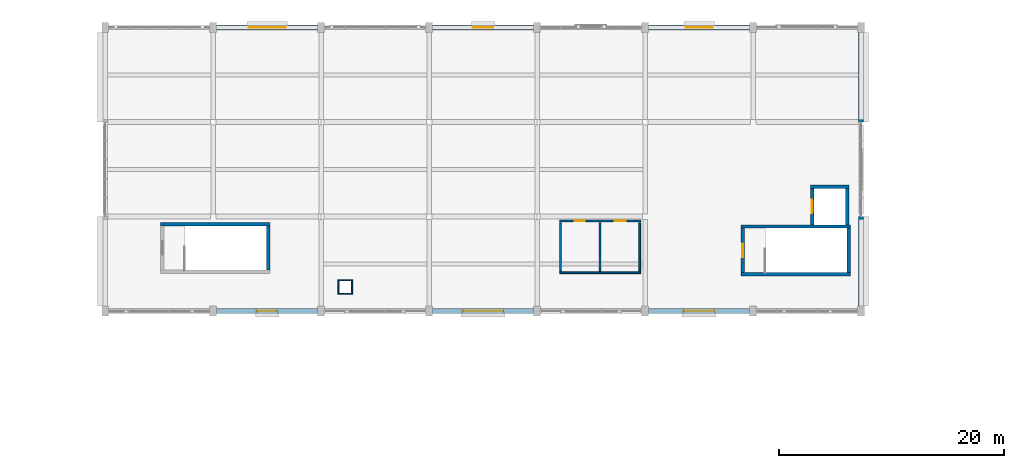
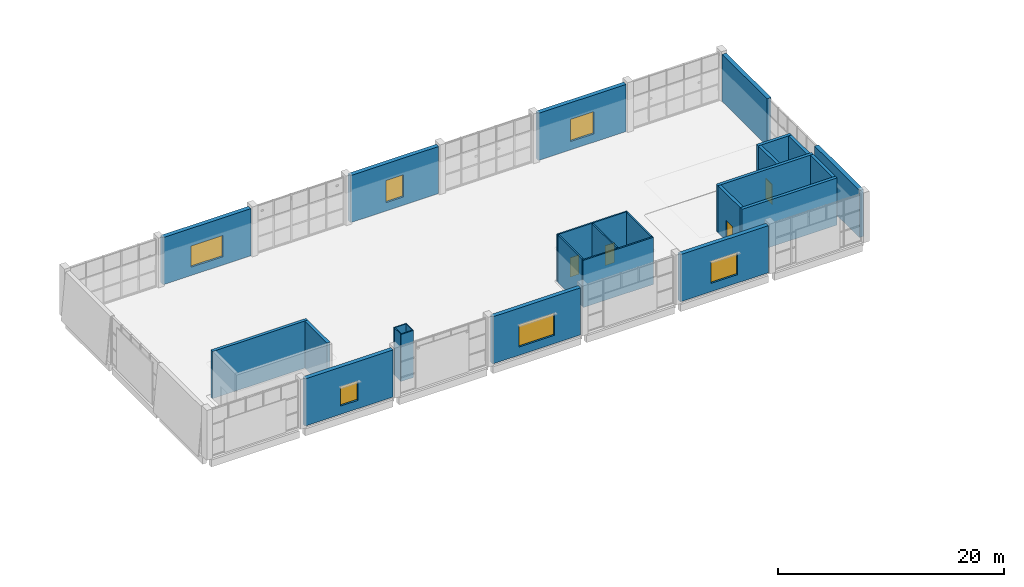
# One storey, part 42 of 57: 26 walls, 6 windows, 4 doors, 10 openings.
"""IFC4 building model written with IfcOpenShell, lengths in metres."""

from ifc_helpers import new_model, si_unit, direction, frame, frame_2d, origin, place, context, subcontext, project, spatial, rectangle, extrude, material, layer, layer_set, type_object, element, fill, save


model = new_model("IFC4")

# Units and contexts
model_context = context("Model", 3, precision=1e-05, world=origin(), true_north=direction((0.0, 1.0)))
body_context = subcontext(model_context, "Body", "Model", "MODEL_VIEW")
ifc_project = project(units=[si_unit("LENGTHUNIT", "METRE"), si_unit("AREAUNIT", "SQUARE_METRE"), si_unit("VOLUMEUNIT", "CUBIC_METRE"), si_unit("PLANEANGLEUNIT", "RADIAN"), si_unit("MASSUNIT", "GRAM", prefix="KILO")], contexts=[model_context])

# Site, building, storey
site_placement = place(None, origin())
site = spatial("IfcSite", under=ifc_project, at=site_placement, CompositionType="ELEMENT")
building_placement = place(site_placement, origin())
building = spatial("IfcBuilding", under=site, at=building_placement, Name="Shalvenor Court Art Gallery", CompositionType="ELEMENT")
storey_placement = place(building_placement, frame((0.0, 0.0, 16.800048828125)))
storey = spatial("IfcBuildingStorey", under=building, at=storey_placement, Name="L03", CompositionType="ELEMENT", Elevation=16.800048828125)

# Walls
ifc_material_1 = material(Name="Concrete C40/50", Category="concrete")
ifc_layer_1 = layer(ifc_material_1, 0.31005859375, Name="Concrete C40/50")
ifc_layer_set_1 = layer_set([ifc_layer_1], Name="Concrete C40/50")
wall_type_1 = type_object("IfcWallType", Name="CW-W2", PredefinedType="SHEAR", material=ifc_layer_set_1)
wall_1_placement = place(storey_placement, frame((114.1279296875, 104.717041015625, 0.0), z_axis=(0.0, 0.0, 1.0), x_axis=(1.0, 0.0, 0.0)))
element("IfcWall", 1, at=wall_1_placement, inside=storey, type_object=wall_type_1, Name="L03 C5 Stair Core Shear Wall N", PredefinedType="SHEAR", context=body_context, shape_type="SweptSolid", body=[
    extrude(rectangle(XDim=9.744140625, YDim=0.31005859375, at=frame_2d((4.8720703125, 0.0))), origin(), (0.0, 0.0, 1.0), 5.099853515625),
])
wall_2_placement = place(storey_placement, frame((123.717041015625, 104.56201171875, 0.0), z_axis=(0.0, 0.0, 1.0), x_axis=(0.0, -1.0, 0.0)))
element("IfcWall", 2, at=wall_2_placement, inside=storey, type_object=wall_type_1, Name="L03 C5 Stair Core Shear Wall E", PredefinedType="SHEAR", context=body_context, shape_type="SweptSolid", body=[
    extrude(rectangle(XDim=3.924072265625, YDim=0.31005859375, at=frame_2d((1.9619140625, 0.0))), origin(), (0.0, 0.0, 1.0), 5.099853515625),
])
wall_3_placement = place(storey_placement, frame((123.8720703125, 100.48291015625, 0.0), z_axis=(0.0, 0.0, 1.0), x_axis=(-1.0, 0.0, 0.0)))
element("IfcWall", 3, at=wall_3_placement, inside=storey, type_object=wall_type_1, Name="L03 C5 Stair Core Shear Wall S", PredefinedType="SHEAR", context=body_context, shape_type="SweptSolid", body=[
    extrude(rectangle(XDim=9.744140625, YDim=0.31005859375, at=frame_2d((4.8720703125, 0.0))), origin(), (0.0, 0.0, 1.0), 5.099853515625),
])

# Wall, opening, door
wall_4_placement = place(storey_placement, frame((114.282958984375, 100.637939453125, 0.0), z_axis=(0.0, 0.0, 1.0), x_axis=(0.0, 1.0, 0.0)))
wall_4 = element("IfcWall", 4, at=wall_4_placement, inside=storey, type_object=wall_type_1, Name="L03 C5 Stair Core Shear Wall W", PredefinedType="SHEAR", context=body_context, shape_type="SweptSolid", body=[
    extrude(rectangle(XDim=3.924072265625, YDim=0.31005859375, at=frame_2d((1.9619140625, 0.0))), origin(), (0.0, 0.0, 1.0), 5.099853515625),
])
opening_1_placement = place(wall_4_placement, frame((1.362060546875, 0.0, 0.0)))
opening_1 = element("IfcOpeningElement", 5, at=opening_1_placement, cuts=wall_4, Name="Opening FD-01", PredefinedType="OPENING", context=body_context, shape_type="SweptSolid", body=[
    extrude(rectangle(XDim=1.199951171875, YDim=2.199951171875, at=frame_2d((0.60009765625, 1.10009765625))), frame((0.0, 0.1650390625, 0.0), z_axis=(0.0, -1.0, 0.0), x_axis=(1.0, 0.0, 0.0)), (0.0, 0.0, 1.0), 0.330078125),
])
ifc_material_2 = material(Name="Fire-rated steel stair doorset", Category="steel")
door_type_1 = type_object("IfcDoorType", Name="FD-01", OperationType="NOTDEFINED", PredefinedType="DOOR", material=ifc_material_2)
door_1_placement = place(opening_1_placement, origin())
door_1 = element("IfcDoor", 6, at=door_1_placement, inside=storey, type_object=door_type_1, Name="DR-ST-L03-C5 L03 ST-05 Fire Stair Door", OperationType="SINGLE_SWING_RIGHT", OverallHeight=2.199951171875, OverallWidth=1.199951171875, PredefinedType="DOOR", context=body_context, shape_type="SweptSolid", body=[
    extrude(rectangle(XDim=1.199951171875, YDim=2.199951171875, at=frame_2d((0.60009765625, 1.10009765625))), frame((0.0, 0.02490234375, 0.0), z_axis=(0.0, -1.0, 0.0), x_axis=(1.0, 0.0, 0.0)), (0.0, 0.0, 1.0), 0.050048828125),
])
fill(opening_1, door_1)

# Walls
wall_5_placement = place(storey_placement, frame((120.2900390625, 108.2548828125, 0.0), z_axis=(0.0, 0.0, 1.0), x_axis=(1.0, 0.0, 0.0)))
element("IfcWall", 7, at=wall_5_placement, inside=storey, type_object=wall_type_1, Name="L03 PL-03 Lift Shaft Wall N", PredefinedType="SHEAR", context=body_context, shape_type="SweptSolid", body=[
    extrude(rectangle(XDim=3.419921875, YDim=0.31005859375, at=frame_2d((1.7099609375, 0.0))), origin(), (0.0, 0.0, 1.0), 5.099853515625),
])
wall_6_placement = place(storey_placement, frame((123.554931640625, 108.10009765625, 0.0), z_axis=(0.0, 0.0, 1.0), x_axis=(0.0, -1.0, 0.0)))
element("IfcWall", 8, at=wall_6_placement, inside=storey, type_object=wall_type_1, Name="L03 PL-03 Lift Shaft Wall E", PredefinedType="SHEAR", context=body_context, shape_type="SweptSolid", body=[
    extrude(rectangle(XDim=3.22802734375, YDim=0.31005859375, at=frame_2d((1.614013671875, 0.0))), origin(), (0.0, 0.0, 1.0), 5.099853515625),
])

# Wall, opening, door
wall_7_placement = place(storey_placement, frame((120.445068359375, 104.8720703125, 0.0), z_axis=(0.0, 0.0, 1.0), x_axis=(0.0, 1.0, 0.0)))
wall_7 = element("IfcWall", 9, at=wall_7_placement, inside=storey, type_object=wall_type_1, Name="L03 PL-03 Lift Shaft Wall W", PredefinedType="SHEAR", context=body_context, shape_type="SweptSolid", body=[
    extrude(rectangle(XDim=3.22802734375, YDim=0.31005859375, at=frame_2d((1.614013671875, 0.0))), origin(), (0.0, 0.0, 1.0), 5.099853515625),
])
opening_2_placement = place(wall_7_placement, frame((1.013916015625, 0.0, 0.0)))
opening_2 = element("IfcOpeningElement", 10, at=opening_2_placement, cuts=wall_7, Name="Opening LD-02", PredefinedType="OPENING", context=body_context, shape_type="SweptSolid", body=[
    extrude(rectangle(XDim=1.199951171875, YDim=2.199951171875, at=frame_2d((0.60009765625, 1.10009765625))), frame((0.0, 0.1650390625, 0.0), z_axis=(0.0, -1.0, 0.0), x_axis=(1.0, 0.0, 0.0)), (0.0, 0.0, 1.0), 0.330078125),
])
ifc_material_3 = material(Name="Brushed stainless passenger lift sliding landing door", Category="steel")
door_type_2 = type_object("IfcDoorType", Name="LD-02", OperationType="NOTDEFINED", PredefinedType="DOOR", material=ifc_material_3)
door_2_placement = place(opening_2_placement, origin())
door_2 = element("IfcDoor", 11, at=door_2_placement, inside=storey, type_object=door_type_2, Name="DR-LD-L03-PL-03 L03 PL-03 Lift Landing Sliding Door", OperationType="DOUBLE_DOOR_SLIDING", OverallHeight=2.199951171875, OverallWidth=1.199951171875, PredefinedType="DOOR", context=body_context, shape_type="SweptSolid", body=[
    extrude(rectangle(XDim=1.199951171875, YDim=2.199951171875, at=frame_2d((0.60009765625, 1.10009765625))), frame((0.0, 0.02490234375, 0.0), z_axis=(0.0, -1.0, 0.0), x_axis=(1.0, 0.0, 0.0)), (0.0, 0.0, 1.0), 0.050048828125),
])
fill(opening_2, door_2)

# Walls
wall_8_placement = place(storey_placement, frame((62.528076171875, 104.9169921875, 0.0), z_axis=(0.0, 0.0, 1.0), x_axis=(1.0, 0.0, 0.0)))
element("IfcWall", 12, at=wall_8_placement, inside=storey, type_object=wall_type_1, Name="L03 C9 Stair Core Shear Wall N", PredefinedType="SHEAR", context=body_context, shape_type="SweptSolid", body=[
    extrude(rectangle(XDim=9.743896484375, YDim=0.31005859375, at=frame_2d((4.8720703125, 0.0))), origin(), (0.0, 0.0, 1.0), 5.099853515625),
])
wall_9_placement = place(storey_placement, frame((72.116943359375, 104.761962890625, 0.0), z_axis=(0.0, 0.0, 1.0), x_axis=(0.0, -1.0, 0.0)))
element("IfcWall", 13, at=wall_9_placement, inside=storey, type_object=wall_type_1, Name="L03 C9 Stair Core Shear Wall E", PredefinedType="SHEAR", context=body_context, shape_type="SweptSolid", body=[
    extrude(rectangle(XDim=3.924072265625, YDim=0.31005859375, at=frame_2d((1.9619140625, 0.0))), origin(), (0.0, 0.0, 1.0), 5.099853515625),
])

# Wall, opening, window
ifc_material_4 = material(Name="Concrete C40/50", Category="concrete")
ifc_layer_2 = layer(ifc_material_4, 0.419921875, Name="Concrete C40/50")
ifc_layer_set_2 = layer_set([ifc_layer_2], Name="Concrete C40/50")
wall_type_2 = type_object("IfcWallType", Name="EW-02", PredefinedType="SOLIDWALL", material=ifc_layer_set_2)
wall_10_placement = place(storey_placement, frame((67.5, 122.39990234375, 0.0), z_axis=(0.0, 0.0, 1.0), x_axis=(1.0, 0.0, 0.0)))
wall_10 = element("IfcWall", 14, at=wall_10_placement, inside=storey, type_object=wall_type_2, Name="L03 V2 Exterior Wall WL-L03-0154", PredefinedType="SOLIDWALL", context=body_context, shape_type="SweptSolid", body=[
    extrude(rectangle(XDim=9.0, YDim=0.419921875, at=frame_2d((4.5, 0.0))), origin(), (0.0, 0.0, 1.0), 5.099853515625),
])
opening_3_placement = place(wall_10_placement, frame((2.85009765625, 0.0, 0.89990234375)))
opening_3 = element("IfcOpeningElement", 15, at=opening_3_placement, cuts=wall_10, Name="Opening WN-22", PredefinedType="OPENING", context=body_context, shape_type="SweptSolid", body=[
    extrude(rectangle(XDim=3.300048828125, YDim=2.300048828125, at=frame_2d((1.64990234375, 1.14990234375))), frame((0.0, 0.219970703125, 0.0), z_axis=(0.0, -1.0, 0.0), x_axis=(1.0, 0.0, 0.0)), (0.0, 0.0, 1.0), 0.43994140625),
])
ifc_material_5 = material(Name="Low-iron solar-control double IGU", Category="glass")
window_type_1 = type_object("IfcWindowType", Name="WN-22", PartitioningType="SINGLE_PANEL", PredefinedType="WINDOW", material=ifc_material_5)
window_1_placement = place(opening_3_placement, origin())
window_1 = element("IfcWindow", 16, at=window_1_placement, inside=storey, type_object=window_type_1, Name="L03 Window WIN-L03-0044", OverallHeight=2.300048828125, OverallWidth=3.300048828125, PartitioningType="SINGLE_PANEL", PredefinedType="WINDOW", context=body_context, shape_type="SweptSolid", body=[
    extrude(rectangle(XDim=3.300048828125, YDim=2.300048828125, at=frame_2d((1.64990234375, 1.14990234375))), frame((0.0, 0.030029296875, 0.0), z_axis=(0.0, -1.0, 0.0), x_axis=(1.0, 0.0, 0.0)), (0.0, 0.0, 1.0), 0.06005859375),
])
fill(opening_3, window_1)

wall_11_placement = place(storey_placement, frame((86.699951171875, 122.39990234375, 0.0), z_axis=(0.0, 0.0, 1.0), x_axis=(1.0, 0.0, 0.0)))
wall_11 = element("IfcWall", 17, at=wall_11_placement, inside=storey, type_object=wall_type_2, Name="L03 V2 Exterior Wall WL-L03-0155", PredefinedType="SOLIDWALL", context=body_context, shape_type="SweptSolid", body=[
    extrude(rectangle(XDim=9.0, YDim=0.419921875, at=frame_2d((4.5, 0.0))), origin(), (0.0, 0.0, 1.0), 5.099853515625),
])
opening_4_placement = place(wall_11_placement, frame((3.60009765625, 0.0, 0.89990234375)))
opening_4 = element("IfcOpeningElement", 18, at=opening_4_placement, cuts=wall_11, Name="Opening WN-01", PredefinedType="OPENING", context=body_context, shape_type="SweptSolid", body=[
    extrude(rectangle(XDim=1.800048828125, YDim=2.39990234375, at=frame_2d((0.89990234375, 1.199951171875))), frame((0.0, 0.219970703125, 0.0), z_axis=(0.0, -1.0, 0.0), x_axis=(1.0, 0.0, 0.0)), (0.0, 0.0, 1.0), 0.43994140625),
])
ifc_material_6 = material(Name="Low-iron solar-control double IGU", Category="glass")
window_type_2 = type_object("IfcWindowType", Name="WN-01", PartitioningType="SINGLE_PANEL", PredefinedType="WINDOW", material=ifc_material_6)
window_2_placement = place(opening_4_placement, origin())
window_2 = element("IfcWindow", 19, at=window_2_placement, inside=storey, type_object=window_type_2, Name="L03 Window WIN-L03-0045", OverallHeight=2.39990234375, OverallWidth=1.800048828125, PartitioningType="SINGLE_PANEL", PredefinedType="WINDOW", context=body_context, shape_type="SweptSolid", body=[
    extrude(rectangle(XDim=1.800048828125, YDim=2.39990234375, at=frame_2d((0.89990234375, 1.199951171875))), frame((0.0, 0.030029296875, 0.0), z_axis=(0.0, -1.0, 0.0), x_axis=(1.0, 0.0, 0.0)), (0.0, 0.0, 1.0), 0.06005859375),
])
fill(opening_4, window_2)

wall_12_placement = place(storey_placement, frame((105.89990234375, 122.39990234375, 0.0), z_axis=(0.0, 0.0, 1.0), x_axis=(1.0, 0.0, 0.0)))
wall_12 = element("IfcWall", 20, at=wall_12_placement, inside=storey, type_object=wall_type_2, Name="L03 V2 Exterior Wall WL-L03-0156", PredefinedType="SOLIDWALL", context=body_context, shape_type="SweptSolid", body=[
    extrude(rectangle(XDim=9.0, YDim=0.419921875, at=frame_2d((4.5, 0.0))), origin(), (0.0, 0.0, 1.0), 5.099853515625),
])
opening_5_placement = place(wall_12_placement, frame((3.300048828125, 0.0, 0.89990234375)))
opening_5 = element("IfcOpeningElement", 21, at=opening_5_placement, cuts=wall_12, Name="Opening WN-02", PredefinedType="OPENING", context=body_context, shape_type="SweptSolid", body=[
    extrude(rectangle(XDim=2.39990234375, YDim=2.39990234375, at=frame_2d((1.199951171875, 1.199951171875))), frame((0.0, 0.219970703125, 0.0), z_axis=(0.0, -1.0, 0.0), x_axis=(1.0, 0.0, 0.0)), (0.0, 0.0, 1.0), 0.43994140625),
])
ifc_material_7 = material(Name="Low-iron solar-control double IGU", Category="glass")
window_type_3 = type_object("IfcWindowType", Name="WN-02", PartitioningType="SINGLE_PANEL", PredefinedType="WINDOW", material=ifc_material_7)
window_3_placement = place(opening_5_placement, origin())
window_3 = element("IfcWindow", 22, at=window_3_placement, inside=storey, type_object=window_type_3, Name="L03 Window WIN-L03-0046", OverallHeight=2.39990234375, OverallWidth=2.39990234375, PartitioningType="SINGLE_PANEL", PredefinedType="WINDOW", context=body_context, shape_type="SweptSolid", body=[
    extrude(rectangle(XDim=2.39990234375, YDim=2.39990234375, at=frame_2d((1.199951171875, 1.199951171875))), frame((0.0, 0.030029296875, 0.0), z_axis=(0.0, -1.0, 0.0), x_axis=(1.0, 0.0, 0.0)), (0.0, 0.0, 1.0), 0.06005859375),
])
fill(opening_5, window_3)

# Walls
wall_13_placement = place(storey_placement, frame((124.800048828125, 121.949951171875, 0.0), z_axis=(0.0, 0.0, 1.0), x_axis=(0.0, -1.0, 0.0)))
element("IfcWall", 23, at=wall_13_placement, inside=storey, type_object=wall_type_2, Name="L03 V2 Exterior Wall WL-L03-0157", PredefinedType="SOLIDWALL", context=body_context, shape_type="SweptSolid", body=[
    extrude(rectangle(XDim=7.949951171875, YDim=0.419921875, at=frame_2d((3.97509765625, 0.0))), origin(), (0.0, 0.0, 1.0), 5.099853515625),
])
wall_14_placement = place(storey_placement, frame((124.800048828125, 105.60009765625, 0.0), z_axis=(0.0, 0.0, 1.0), x_axis=(0.0, -1.0, 0.0)))
element("IfcWall", 24, at=wall_14_placement, inside=storey, type_object=wall_type_2, Name="L03 V2 Exterior Wall WL-L03-0158", PredefinedType="SOLIDWALL", context=body_context, shape_type="SweptSolid", body=[
    extrude(rectangle(XDim=7.9501953125, YDim=0.419921875, at=frame_2d((3.97509765625, 0.0))), origin(), (0.0, 0.0, 1.0), 5.099853515625),
])

# Wall, opening, window
wall_15_placement = place(storey_placement, frame((114.89990234375, 97.199951171875, 0.0), z_axis=(0.0, 0.0, 1.0), x_axis=(-1.0, 0.0, 0.0)))
wall_15 = element("IfcWall", 25, at=wall_15_placement, inside=storey, type_object=wall_type_2, Name="L03 V2 Exterior Wall WL-L03-0159", PredefinedType="SOLIDWALL", context=body_context, shape_type="SweptSolid", body=[
    extrude(rectangle(XDim=9.0, YDim=0.419921875, at=frame_2d((4.5, 0.0))), origin(), (0.0, 0.0, 1.0), 5.099853515625),
])
opening_6_placement = place(wall_15_placement, frame((3.14990234375, 0.0, 0.89990234375)))
opening_6 = element("IfcOpeningElement", 26, at=opening_6_placement, cuts=wall_15, Name="Opening WN-03", PredefinedType="OPENING", context=body_context, shape_type="SweptSolid", body=[
    extrude(rectangle(XDim=2.699951171875, YDim=2.39990234375, at=frame_2d((1.35009765625, 1.199951171875))), frame((0.0, 0.219970703125, 0.0), z_axis=(0.0, -1.0, 0.0), x_axis=(1.0, 0.0, 0.0)), (0.0, 0.0, 1.0), 0.43994140625),
])
ifc_material_8 = material(Name="Low-iron solar-control double IGU", Category="glass")
window_type_4 = type_object("IfcWindowType", Name="WN-03", PartitioningType="SINGLE_PANEL", PredefinedType="WINDOW", material=ifc_material_8)
window_4_placement = place(opening_6_placement, origin())
window_4 = element("IfcWindow", 27, at=window_4_placement, inside=storey, type_object=window_type_4, Name="L03 Window WIN-L03-0047", OverallHeight=2.39990234375, OverallWidth=2.699951171875, PartitioningType="SINGLE_PANEL", PredefinedType="WINDOW", context=body_context, shape_type="SweptSolid", body=[
    extrude(rectangle(XDim=2.699951171875, YDim=2.39990234375, at=frame_2d((1.35009765625, 1.199951171875))), frame((0.0, 0.030029296875, 0.0), z_axis=(0.0, -1.0, 0.0), x_axis=(1.0, 0.0, 0.0)), (0.0, 0.0, 1.0), 0.06005859375),
])
fill(opening_6, window_4)

wall_16_placement = place(storey_placement, frame((95.699951171875, 97.199951171875, 0.0), z_axis=(0.0, 0.0, 1.0), x_axis=(-1.0, 0.0, 0.0)))
wall_16 = element("IfcWall", 28, at=wall_16_placement, inside=storey, type_object=wall_type_2, Name="L03 V2 Exterior Wall WL-L03-0160", PredefinedType="SOLIDWALL", context=body_context, shape_type="SweptSolid", body=[
    extrude(rectangle(XDim=9.0, YDim=0.419921875, at=frame_2d((4.5, 0.0))), origin(), (0.0, 0.0, 1.0), 5.099853515625),
])
opening_7_placement = place(wall_16_placement, frame((2.699951171875, 0.0, 0.89990234375)))
opening_7 = element("IfcOpeningElement", 29, at=opening_7_placement, cuts=wall_16, Name="Opening WN-04", PredefinedType="OPENING", context=body_context, shape_type="SweptSolid", body=[
    extrude(rectangle(XDim=3.60009765625, YDim=2.39990234375, at=frame_2d((1.800048828125, 1.199951171875))), frame((0.0, 0.219970703125, 0.0), z_axis=(0.0, -1.0, 0.0), x_axis=(1.0, 0.0, 0.0)), (0.0, 0.0, 1.0), 0.43994140625),
])
ifc_material_9 = material(Name="Low-iron solar-control double IGU", Category="glass")
window_type_5 = type_object("IfcWindowType", Name="WN-04", PartitioningType="SINGLE_PANEL", PredefinedType="WINDOW", material=ifc_material_9)
window_5_placement = place(opening_7_placement, origin())
window_5 = element("IfcWindow", 30, at=window_5_placement, inside=storey, type_object=window_type_5, Name="L03 Window WIN-L03-0048", OverallHeight=2.39990234375, OverallWidth=3.60009765625, PartitioningType="SINGLE_PANEL", PredefinedType="WINDOW", context=body_context, shape_type="SweptSolid", body=[
    extrude(rectangle(XDim=3.60009765625, YDim=2.39990234375, at=frame_2d((1.800048828125, 1.199951171875))), frame((0.0, 0.030029296875, 0.0), z_axis=(0.0, -1.0, 0.0), x_axis=(1.0, 0.0, 0.0)), (0.0, 0.0, 1.0), 0.06005859375),
])
fill(opening_7, window_5)

wall_17_placement = place(storey_placement, frame((76.5, 97.199951171875, 0.0), z_axis=(0.0, 0.0, 1.0), x_axis=(-1.0, 0.0, 0.0)))
wall_17 = element("IfcWall", 31, at=wall_17_placement, inside=storey, type_object=wall_type_2, Name="L03 V2 Exterior Wall WL-L03-0161", PredefinedType="SOLIDWALL", context=body_context, shape_type="SweptSolid", body=[
    extrude(rectangle(XDim=9.0, YDim=0.419921875, at=frame_2d((4.5, 0.0))), origin(), (0.0, 0.0, 1.0), 5.099853515625),
])
opening_8_placement = place(wall_17_placement, frame((3.60009765625, 0.0, 0.89990234375)))
opening_8 = element("IfcOpeningElement", 32, at=opening_8_placement, cuts=wall_17, Name="Opening WN-05", PredefinedType="OPENING", context=body_context, shape_type="SweptSolid", body=[
    extrude(rectangle(XDim=1.800048828125, YDim=2.10009765625, at=frame_2d((0.89990234375, 1.050048828125))), frame((0.0, 0.219970703125, 0.0), z_axis=(0.0, -1.0, 0.0), x_axis=(1.0, 0.0, 0.0)), (0.0, 0.0, 1.0), 0.43994140625),
])
ifc_material_10 = material(Name="Low-iron solar-control double IGU", Category="glass")
window_type_6 = type_object("IfcWindowType", Name="WN-05", PartitioningType="SINGLE_PANEL", PredefinedType="WINDOW", material=ifc_material_10)
window_6_placement = place(opening_8_placement, origin())
window_6 = element("IfcWindow", 33, at=window_6_placement, inside=storey, type_object=window_type_6, Name="L03 Window WIN-L03-0049", OverallHeight=2.10009765625, OverallWidth=1.800048828125, PartitioningType="SINGLE_PANEL", PredefinedType="WINDOW", context=body_context, shape_type="SweptSolid", body=[
    extrude(rectangle(XDim=1.800048828125, YDim=2.10009765625, at=frame_2d((0.89990234375, 1.050048828125))), frame((0.0, 0.030029296875, 0.0), z_axis=(0.0, -1.0, 0.0), x_axis=(1.0, 0.0, 0.0)), (0.0, 0.0, 1.0), 0.06005859375),
])
fill(opening_8, window_6)

# Wall, openings, doors
ifc_material_11 = material(Name="Moisture-resistant sanitary partition", Category="other")
ifc_layer_3 = layer(ifc_material_11, 0.14990234375, Name="Moisture-resistant sanitary partition")
ifc_layer_set_3 = layer_set([ifc_layer_3], Name="Moisture-resistant sanitary partition")
wall_type_3 = type_object("IfcWallType", Name="PT-03", PredefinedType="PARTITIONING", material=ifc_layer_set_3)
wall_18_placement = place(storey_placement, frame((98.0, 105.199951171875, 0.0), z_axis=(0.0, 0.0, 1.0), x_axis=(1.0, 0.0, 0.0)))
wall_18 = element("IfcWall", 34, at=wall_18_placement, inside=storey, type_object=wall_type_3, Name="L03 C5 Restroom Front Partition", PredefinedType="PARTITIONING", context=body_context, shape_type="SweptSolid", body=[
    extrude(rectangle(XDim=7.199951171875, YDim=0.14990234375, at=frame_2d((3.60009765625, 0.0))), origin(), (0.0, 0.0, 1.0), 5.099853515625),
])
opening_9_placement = place(wall_18_placement, frame((1.35009765625, 0.0, 0.0)))
opening_9 = element("IfcOpeningElement", 35, at=opening_9_placement, cuts=wall_18, Name="Opening ID-07", PredefinedType="OPENING", context=body_context, shape_type="SweptSolid", body=[
    extrude(rectangle(XDim=0.89990234375, YDim=2.10009765625, at=frame_2d((0.449951171875, 1.050048828125))), frame((0.0, 0.0849609375, 0.0), z_axis=(0.0, -1.0, 0.0), x_axis=(1.0, 0.0, 0.0)), (0.0, 0.0, 1.0), 0.169921875),
])
opening_10_placement = place(wall_18_placement, frame((4.925048828125, 0.0, 0.0)))
opening_10 = element("IfcOpeningElement", 36, at=opening_10_placement, cuts=wall_18, Name="Opening ID-06", PredefinedType="OPENING", context=body_context, shape_type="SweptSolid", body=[
    extrude(rectangle(XDim=0.949951171875, YDim=2.14990234375, at=frame_2d((0.47509765625, 1.074951171875))), frame((0.0, 0.0849609375, 0.0), z_axis=(0.0, -1.0, 0.0), x_axis=(1.0, 0.0, 0.0)), (0.0, 0.0, 1.0), 0.169921875),
])
ifc_material_12 = material(Name="Accessible restroom doorset", Category="steel")
door_type_3 = type_object("IfcDoorType", Name="ID-06", OperationType="NOTDEFINED", PredefinedType="DOOR", material=ifc_material_12)
door_3_placement = place(opening_10_placement, origin())
door_3 = element("IfcDoor", 37, at=door_3_placement, inside=storey, type_object=door_type_3, Name="DR-AWC-L03-C5-2 L03 C5 Accessible Restroom Door", OperationType="SINGLE_SWING_RIGHT", OverallHeight=2.14990234375, OverallWidth=0.949951171875, PredefinedType="DOOR", context=body_context, shape_type="SweptSolid", body=[
    extrude(rectangle(XDim=0.949951171875, YDim=2.14990234375, at=frame_2d((0.47509765625, 1.074951171875))), frame((0.0, 0.02490234375, 0.0), z_axis=(0.0, -1.0, 0.0), x_axis=(1.0, 0.0, 0.0)), (0.0, 0.0, 1.0), 0.050048828125),
])
fill(opening_10, door_3)
ifc_material_13 = material(Name="Restroom timber doorset", Category="wood")
door_type_4 = type_object("IfcDoorType", Name="ID-07", OperationType="NOTDEFINED", PredefinedType="DOOR", material=ifc_material_13)
door_4_placement = place(opening_9_placement, origin())
door_4 = element("IfcDoor", 38, at=door_4_placement, inside=storey, type_object=door_type_4, Name="DR-WC-L03-C5-1 L03 C5 Public Restroom Door", OperationType="SINGLE_SWING_LEFT", OverallHeight=2.10009765625, OverallWidth=0.89990234375, PredefinedType="DOOR", context=body_context, shape_type="SweptSolid", body=[
    extrude(rectangle(XDim=0.89990234375, YDim=2.10009765625, at=frame_2d((0.449951171875, 1.050048828125))), frame((0.0, 0.02490234375, 0.0), z_axis=(0.0, -1.0, 0.0), x_axis=(1.0, 0.0, 0.0)), (0.0, 0.0, 1.0), 0.050048828125),
])
fill(opening_9, door_4)

# Walls
wall_19_placement = place(storey_placement, frame((98.0, 100.60009765625, 0.0), z_axis=(0.0, 0.0, 1.0), x_axis=(1.0, 0.0, 0.0)))
element("IfcWall", 39, at=wall_19_placement, inside=storey, type_object=wall_type_3, Name="L03 C5 Restroom Back Partition", PredefinedType="PARTITIONING", context=body_context, shape_type="SweptSolid", body=[
    extrude(rectangle(XDim=7.199951171875, YDim=0.14990234375, at=frame_2d((3.60009765625, 0.0))), origin(), (0.0, 0.0, 1.0), 5.099853515625),
])
for number, where, z_axis, x_axis, name in (
    (40, (98.074951171875, 100.760009765625, 0.0), (0.0, 0.0, 1.0), (0.0, 1.0, 0.0), "L03 C5 Restroom Partition L"),
    (41, (101.60009765625, 100.760009765625, 0.0), (0.0, 0.0, 1.0), (0.0, 1.0, 0.0), "L03 C5 Restroom Partition M"),
    (42, (105.125, 100.760009765625, 0.0), (0.0, 0.0, 1.0), (0.0, 1.0, 0.0), "L03 C5 Restroom Partition R"),
):
    element("IfcWall", number, at=place(storey_placement, frame(where, z_axis=z_axis, x_axis=x_axis)), inside=storey, type_object=wall_type_3, Name=name, PredefinedType="PARTITIONING", context=body_context, shape_type="SweptSolid", body=[
        extrude(rectangle(XDim=4.280029296875, YDim=0.14990234375, at=frame_2d((2.14013671875, 0.0))), origin(), (0.0, 0.0, 1.0), 5.099853515625),
    ])
ifc_material_14 = material(Name="Service riser shaft gypsum partition", Category="other")
ifc_layer_4 = layer(ifc_material_14, 0.10009765625, Name="Service riser shaft gypsum partition")
ifc_layer_set_4 = layer_set([ifc_layer_4], Name="Service riser shaft gypsum partition")
wall_type_4 = type_object("IfcWallType", Name="PT-06", PredefinedType="PARTITIONING", material=ifc_layer_set_4)
for number, where, z_axis, x_axis, name in (
    (43, (78.300048828125, 99.949951171875, 0.0), (0.0, 0.0, 1.0), (1.0, 0.0, 0.0), "L03 Riser Shaft Wall 1.N"),
    (44, (79.60009765625, 98.75, 0.0), (0.0, 0.0, 1.0), (-1.0, 0.0, 0.0), "L03 Riser Shaft Wall 1.S"),
):
    element("IfcWall", number, at=place(storey_placement, frame(where, z_axis=z_axis, x_axis=x_axis)), inside=storey, type_object=wall_type_4, Name=name, PredefinedType="PARTITIONING", context=body_context, shape_type="SweptSolid", body=[
        extrude(rectangle(XDim=1.300048828125, YDim=0.10009765625, at=frame_2d((0.64990234375, 0.0))), origin(), (0.0, 0.0, 1.0), 5.099853515625),
    ])
for number, where, z_axis, x_axis, name in (
    (45, (78.35009765625, 98.800048828125, 0.0), (0.0, 0.0, 1.0), (0.0, 1.0, 0.0), "L03 Riser Shaft Wall 1.W"),
    (46, (79.550048828125, 99.89990234375, 0.0), (0.0, 0.0, 1.0), (0.0, -1.0, 0.0), "L03 Riser Shaft Wall 1.E"),
):
    element("IfcWall", number, at=place(storey_placement, frame(where, z_axis=z_axis, x_axis=x_axis)), inside=storey, type_object=wall_type_4, Name=name, PredefinedType="PARTITIONING", context=body_context, shape_type="SweptSolid", body=[
        extrude(rectangle(XDim=1.099853515625, YDim=0.10009765625, at=frame_2d((0.5498046875, 0.0))), origin(), (0.0, 0.0, 1.0), 5.099853515625),
    ])

save(model, "model.ifc")
